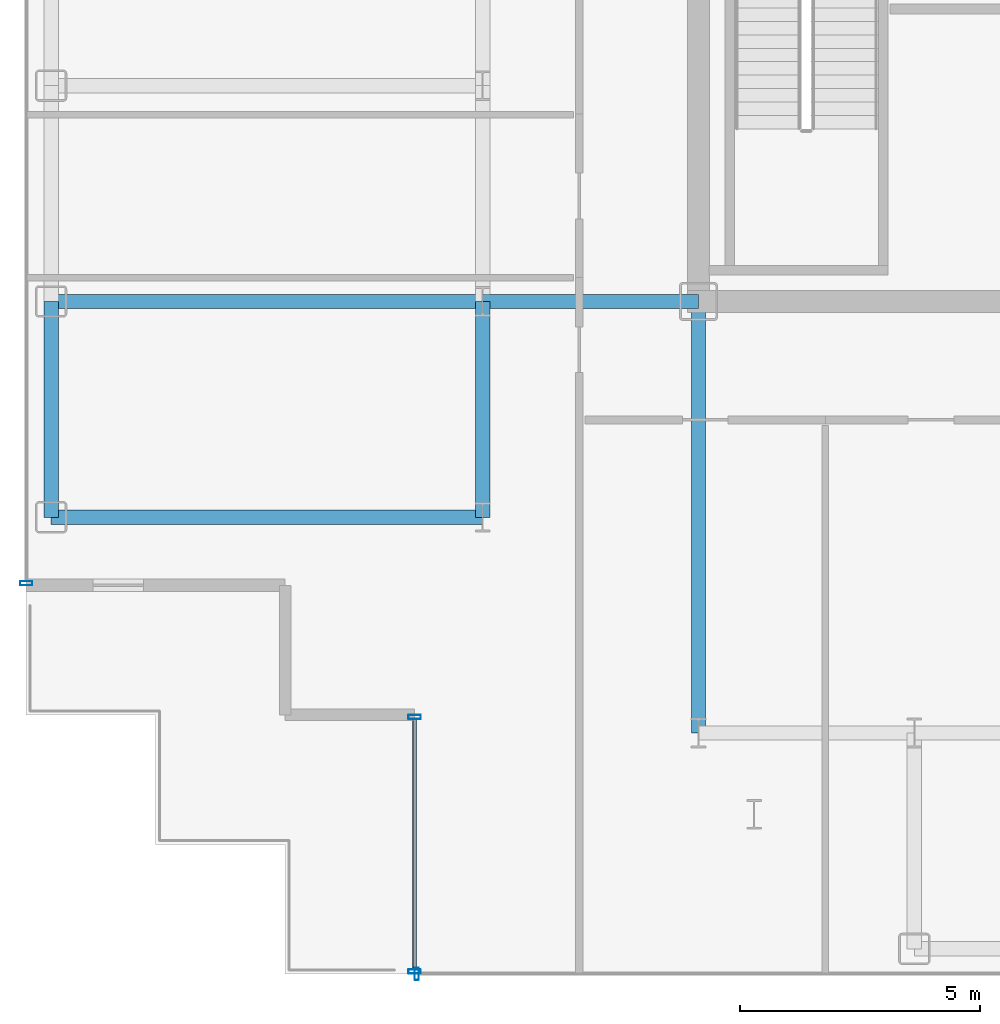
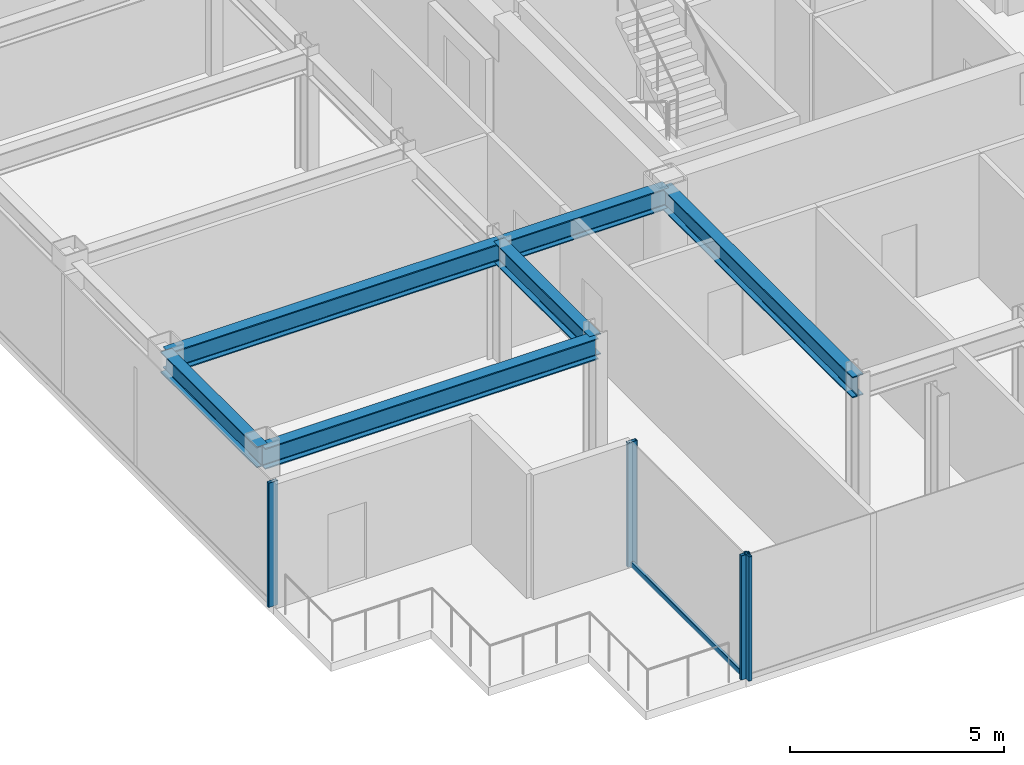
# One storey, part 2 of 17: 6 beams, 5 members, 3 elements without a shape of their own.
"""IFC4 building model written with IfcOpenShell, lengths in metres."""

from ifc_helpers import new_model, si_unit, direction, frame, origin, origin_2d, place, context, subcontext, project, spatial, hollow_rectangle, i_section, extrude, source, transform, mapped, material, layer, layer_set, material_profile, profile_set, type_object, element, aggregate, save


model = new_model("IFC4")

# Units and contexts
model_context = context("Model", 3, precision=1e-05, world=origin(), true_north=direction((0.0, 1.0)))
body_context = subcontext(model_context, "Body", "Model", "MODEL_VIEW")
ifc_project = project(units=[si_unit("LENGTHUNIT", "METRE"), si_unit("AREAUNIT", "SQUARE_METRE"), si_unit("VOLUMEUNIT", "CUBIC_METRE"), si_unit("PLANEANGLEUNIT", "RADIAN"), si_unit("MASSUNIT", "GRAM", prefix="KILO")], contexts=[model_context])

# Site, building, storey
site_placement = place(None, origin())
site = spatial("IfcSite", under=ifc_project, at=site_placement, CompositionType="ELEMENT")
building_placement = place(site_placement, origin())
building = spatial("IfcBuilding", under=site, at=building_placement, Name="Nefas-Gora Pilgrimage Tower", CompositionType="ELEMENT")
storey_placement = place(building_placement, frame((0.0, 0.0, 279.800048828125)))
storey = spatial("IfcBuildingStorey", under=building, at=storey_placement, Name="L70", CompositionType="ELEMENT", Elevation=279.800048828125)

# Beams
ifc_material_1 = material(Name="Steel S355", Category="steel")
ifc_material_profile_1 = material_profile(ifc_material_1, i_section(OverallWidth=0.300048828125, OverallDepth=0.60009765625, WebThickness=0.015380859375, FlangeThickness=0.030029296875, FilletRadius=0.027099609375, at=origin_2d()), Name="HEB 600")
ifc_profile_set_1 = profile_set([ifc_material_profile_1], Name="Steel S355")
beam_type_1 = type_object("IfcBeamType", Name="BM-SPN-HEB450", PredefinedType="SPANDREL", material=ifc_profile_set_1)
shared_shape_1 = source(origin(), body_context, "Body", "SweptSolid", [
    extrude(i_section(OverallWidth=0.300048828125, OverallDepth=0.60009765625, WebThickness=0.015380859375, FlangeThickness=0.030029296875, FilletRadius=0.027099609375, at=origin_2d()), origin(), (0.0, 0.0, 1.0), 4.5),
])
beam_placement = place(storey_placement, frame((-24.75, -13.5, 3.25), z_axis=(0.0, 1.0, 0.0), x_axis=(-1.0, 0.0, 0.0)))
element("IfcBeam", 1, at=beam_placement, inside=storey, type_object=beam_type_1, Name="L70 SP-03 beam", PredefinedType="SPANDREL", context=body_context, shape_type="MappedRepresentation", body=[
    mapped(shared_shape_1, transform((0.0, 0.0, 0.0), x_axis=(1.0, 0.0, 0.0), y_axis=(0.0, 1.0, 0.0), z_axis=(0.0, 0.0, 1.0), scale=1.0)),
])
ifc_material_profile_2 = material_profile(ifc_material_1, i_section(OverallWidth=0.300048828125, OverallDepth=0.60009765625, WebThickness=0.015380859375, FlangeThickness=0.030029296875, FilletRadius=0.027099609375, at=origin_2d()), Name="HEB 600")
ifc_profile_set_2 = profile_set([ifc_material_profile_2], Name="Steel S355")
beam_type_2 = type_object("IfcBeamType", Name="BM-GIR-HEB600", PredefinedType="BEAM", material=ifc_profile_set_2)
shared_shape_2 = source(origin(), body_context, "Body", "SweptSolid", [
    extrude(i_section(OverallWidth=0.300048828125, OverallDepth=0.60009765625, WebThickness=0.015380859375, FlangeThickness=0.030029296875, FilletRadius=0.027099609375, at=origin_2d()), origin(), (0.0, 0.0, 1.0), 9.0),
])
for number, where, z_axis, x_axis, name in (
    (2, (-24.75, -13.5, 3.25), (1.0, 0.0, 0.0), (0.0, 1.0, 0.0), "L70 G-04 beam"),
    (3, (-24.75, -9.0, 3.25), (1.0, 0.0, 0.0), (0.0, 1.0, 0.0), "L70 G-04 beam"),
    (4, (-11.25, -18.0, 3.25), (0.0, 1.0, 0.0), (-1.0, 0.0, 0.0), "L70 G-04 beam"),
):
    element("IfcBeam", number, at=place(storey_placement, frame(where, z_axis=z_axis, x_axis=x_axis)), inside=storey, type_object=beam_type_2, Name=name, PredefinedType="BEAM", context=body_context, shape_type="MappedRepresentation", body=[
        mapped(shared_shape_2, transform((0.0, 0.0, 0.0), x_axis=(1.0, 0.0, 0.0), y_axis=(0.0, 1.0, 0.0), z_axis=(0.0, 0.0, 1.0), scale=1.0)),
    ])
shared_shape_3 = source(origin(), body_context, "Body", "SweptSolid", [
    extrude(i_section(OverallWidth=0.300048828125, OverallDepth=0.60009765625, WebThickness=0.015380859375, FlangeThickness=0.030029296875, FilletRadius=0.027099609375, at=origin_2d()), origin(), (0.0, 0.0, 1.0), 4.5),
])
for number, where, z_axis, x_axis, name in (
    (5, (-15.75, -13.5, 3.25), (0.0, 1.0, 0.0), (-1.0, 0.0, 0.0), "L70 G-04 beam"),
    (6, (-15.75, -9.0, 3.25), (1.0, 0.0, 0.0), (0.0, 1.0, 0.0), "L70 G-04 beam"),
):
    element("IfcBeam", number, at=place(storey_placement, frame(where, z_axis=z_axis, x_axis=x_axis)), inside=storey, type_object=beam_type_2, Name=name, PredefinedType="BEAM", context=body_context, shape_type="MappedRepresentation", body=[
        mapped(shared_shape_3, transform((0.0, 0.0, 0.0), x_axis=(1.0, 0.0, 0.0), y_axis=(0.0, 1.0, 0.0), z_axis=(0.0, 0.0, 1.0), scale=1.0)),
    ])

# Curtain wall, member
ifc_material_2 = material(Name="Dark ceramic-fritted solar-control aluminium-glass curtain wall", Category="aluminium")
ifc_layer = layer(ifc_material_2, 0.219970703125)
ifc_layer_set = layer_set([ifc_layer], Name="Dark ceramic-fritted solar-control aluminium-glass curtain wall")
curtain_wall_type = type_object("IfcCurtainWallType", Name="CW-SYS-4", PredefinedType="NOTDEFINED", material=ifc_layer_set)
curtain_wall_1_placement = place(storey_placement, origin())
curtain_wall_1 = element("IfcCurtainWall", 7, at=curtain_wall_1_placement, inside=storey, type_object=curtain_wall_type, Name="L70 Unitised Curtain Wall CW4", PredefinedType="NOTDEFINED")
ifc_material_3 = material(Name="Anodised architectural aluminium", Category="aluminium")
ifc_material_profile_3 = material_profile(ifc_material_3, hollow_rectangle(XDim=0.090087890625, YDim=0.260009765625, WallThickness=0.006103515625, InnerFilletRadius=0.006103515625, OuterFilletRadius=0.011962890625, at=origin_2d()), Name="ALU MULLION 90x260")
ifc_profile_set_3 = profile_set([ifc_material_profile_3], Name="Anodised architectural aluminium")
member_type_1 = type_object("IfcMemberType", Name="CWM-MUL-4", PredefinedType="MULLION", material=ifc_profile_set_3)
shared_shape_4 = source(origin(), body_context, "Body", "SweptSolid", [
    extrude(hollow_rectangle(XDim=0.090087890625, YDim=0.260009765625, WallThickness=0.006103515625, InnerFilletRadius=0.006103515625, OuterFilletRadius=0.011962890625, at=origin_2d()), origin(), (0.0, 0.0, 1.0), 3.550048828125),
])
member_1_placement = place(storey_placement, frame((-25.27001953125, -14.875, 0.0), z_axis=(0.0, 0.0, 1.0), x_axis=(0.0, -1.0, 0.0)))
member_1 = element("IfcMember", 8, at=member_1_placement, type_object=member_type_1, Name="CW4 Mullion 2", PredefinedType="MULLION", context=body_context, shape_type="MappedRepresentation", body=[
    mapped(shared_shape_4, transform((0.0, 0.0, 0.0), x_axis=(1.0, 0.0, 0.0), y_axis=(0.0, 1.0, 0.0), z_axis=(0.0, 0.0, 1.0), scale=1.0)),
])
aggregate(curtain_wall_1, [member_1])

# Curtain wall, members
curtain_wall_2_placement = place(storey_placement, origin())
curtain_wall_2 = element("IfcCurtainWall", 9, at=curtain_wall_2_placement, inside=storey, type_object=curtain_wall_type, Name="L70 Unitised Curtain Wall CW4", PredefinedType="NOTDEFINED")
member_2_placement = place(storey_placement, frame((-17.169921875, -17.6650390625, 0.0), z_axis=(0.0, 0.0, 1.0), x_axis=(0.0, -1.0, 0.0)))
member_2 = element("IfcMember", 10, at=member_2_placement, type_object=member_type_1, Name="CW4 Mullion 1", PredefinedType="MULLION", context=body_context, shape_type="MappedRepresentation", body=[
    mapped(shared_shape_4, transform((0.0, 0.0, 0.0), x_axis=(1.0, 0.0, 0.0), y_axis=(0.0, 1.0, 0.0), z_axis=(0.0, 0.0, 1.0), scale=1.0)),
])
member_3_placement = place(storey_placement, frame((-17.169921875, -22.97509765625, 0.0), z_axis=(0.0, 0.0, 1.0), x_axis=(0.0, -1.0, 0.0)))
member_3 = element("IfcMember", 11, at=member_3_placement, type_object=member_type_1, Name="CW4 Mullion 2", PredefinedType="MULLION", context=body_context, shape_type="MappedRepresentation", body=[
    mapped(shared_shape_4, transform((0.0, 0.0, 0.0), x_axis=(1.0, 0.0, 0.0), y_axis=(0.0, 1.0, 0.0), z_axis=(0.0, 0.0, 1.0), scale=1.0)),
])

# Curtain wall, member
curtain_wall_3_placement = place(storey_placement, origin())
curtain_wall_3 = element("IfcCurtainWall", 12, at=curtain_wall_3_placement, inside=storey, type_object=curtain_wall_type, Name="L70 Unitised Curtain Wall CW4", PredefinedType="NOTDEFINED")
member_4_placement = place(storey_placement, frame((-17.125, -23.02001953125, 0.0), z_axis=(0.0, 0.0, 1.0), x_axis=(1.0, 0.0, 0.0)))
member_4 = element("IfcMember", 13, at=member_4_placement, type_object=member_type_1, Name="CW4 Mullion 1", PredefinedType="MULLION", context=body_context, shape_type="MappedRepresentation", body=[
    mapped(shared_shape_4, transform((0.0, 0.0, 0.0), x_axis=(1.0, 0.0, 0.0), y_axis=(0.0, 1.0, 0.0), z_axis=(0.0, 0.0, 1.0), scale=1.0)),
])
aggregate(curtain_wall_3, [member_4])

# Member
ifc_material_profile_4 = material_profile(ifc_material_3, hollow_rectangle(XDim=0.080078125, YDim=0.159912109375, WallThickness=0.00439453125, InnerFilletRadius=0.00439453125, OuterFilletRadius=0.009033203125, at=origin_2d()), Name="ALU TRANSOM 80x160")
ifc_profile_set_4 = profile_set([ifc_material_profile_4], Name="Anodised architectural aluminium")
member_type_2 = type_object("IfcMemberType", Name="CWM-TRN-4", PredefinedType="USERDEFINED", material=ifc_profile_set_4)
shared_shape_5 = source(origin(), body_context, "Body", "SweptSolid", [
    extrude(hollow_rectangle(XDim=0.080078125, YDim=0.159912109375, WallThickness=0.00439453125, InnerFilletRadius=0.00439453125, OuterFilletRadius=0.009033203125, at=origin_2d()), origin(), (0.0, 0.0, 1.0), 5.219970703125),
])
member_5_placement = place(storey_placement, frame((-17.169921875, -17.7099609375, 0.050048828125), z_axis=(0.0, -1.0, 0.0), x_axis=(1.0, 0.0, 0.0)))
member_5 = element("IfcMember", 14, at=member_5_placement, type_object=member_type_2, Name="CW4 Spandrel Transom", ObjectType="TRANSOM", PredefinedType="USERDEFINED", context=body_context, shape_type="MappedRepresentation", body=[
    mapped(shared_shape_5, transform((0.0, 0.0, 0.0), x_axis=(1.0, 0.0, 0.0), y_axis=(0.0, 1.0, 0.0), z_axis=(0.0, 0.0, 1.0), scale=1.0)),
])

aggregate(curtain_wall_2, [member_2, member_3, member_5])

save(model, "model.ifc")
